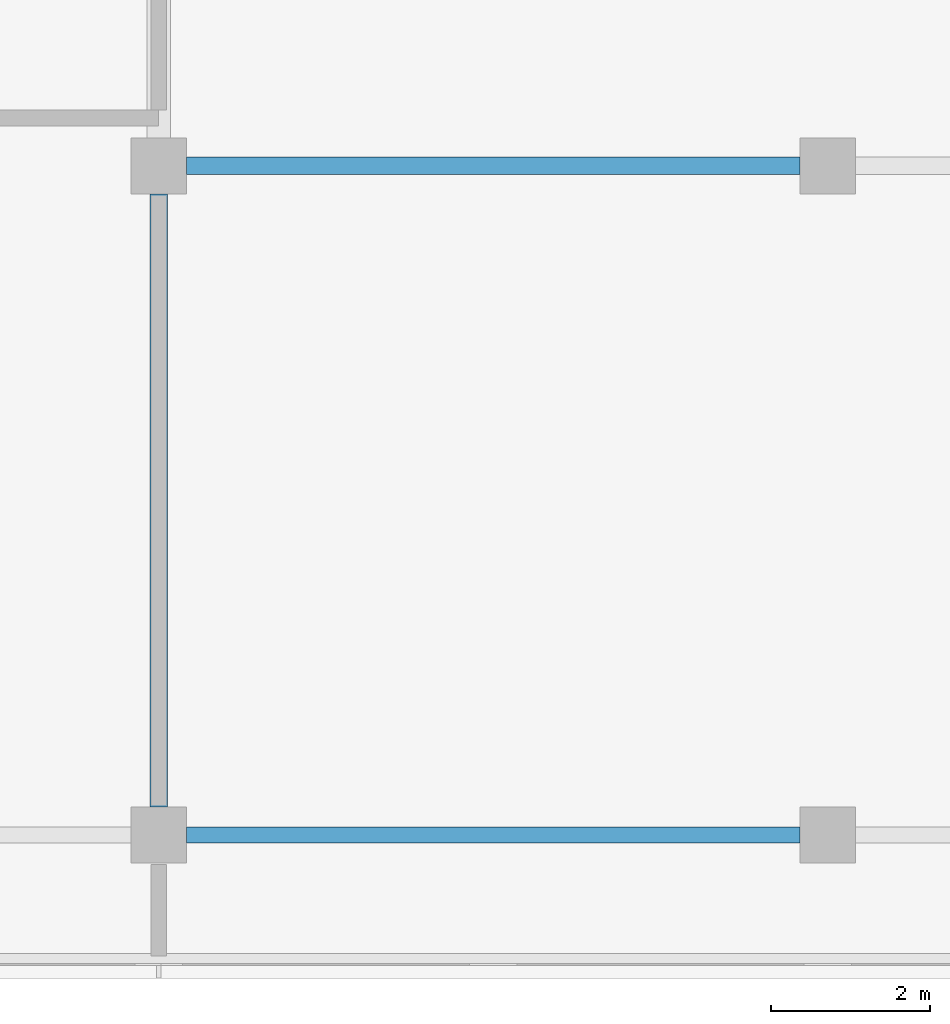
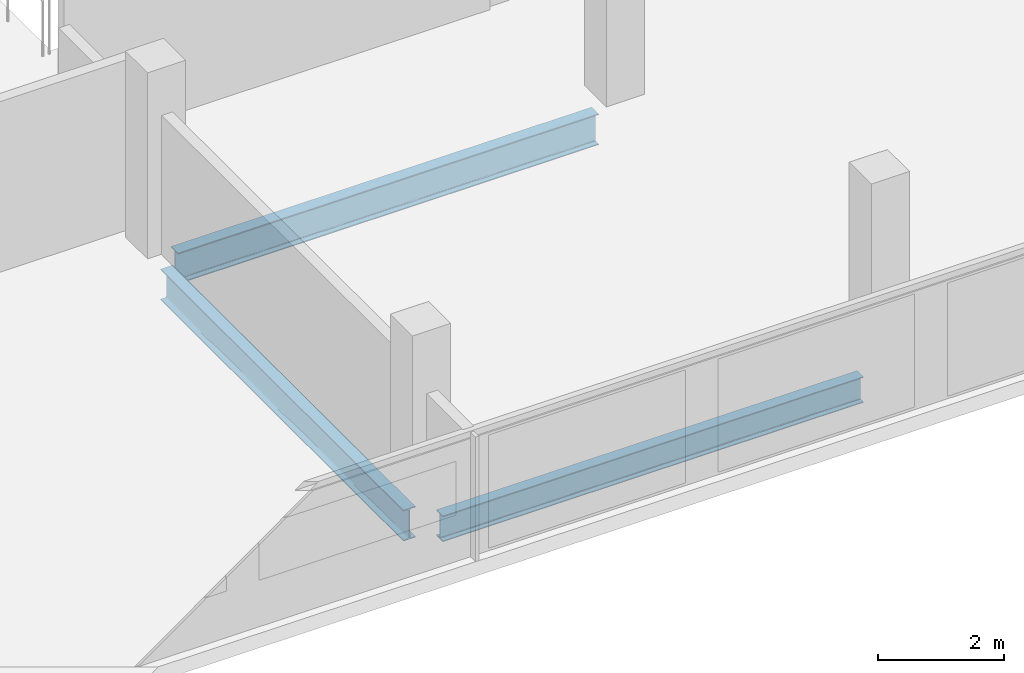
# One storey, part 3 of 24: 3 beams.
"""IFC4 building model written with IfcOpenShell, lengths in metres."""

import ifcopenshell
import ifcopenshell.guid

model = None  # the IFC model being written
_history = None  # IfcOwnerHistory: only IFC2X3 demands one
_inside = {}  # id of a spatial element -> (the spatial element, [elements in it])
_under = {}  # id of a project, library or spatial element -> (it, [spatial elements below it])
_declared = {}  # id of a project -> (the project, [libraries it declares])
_typed = {}  # id of a type object -> (the type object, [elements of that type])
_made_of = {}  # id of a material, layer set ... -> (it, [elements and type objects made of it])


def new_model(schema):
    """Start an empty IFC model of exactly this schema.

    Asked for "IFC4X3", IfcOpenShell would pick the latest addendum, in which some entities
    have other attributes; the version numbers below select the first issue.
    IFC2X3 requires an IfcOwnerHistory on every rooted entity: one is made here for all.
    """
    global model, _history
    if schema == "IFC4X3":
        model = ifcopenshell.file(schema_version=(4, 3, 0, 0))
    else:
        model = ifcopenshell.file(schema=schema)
    _inside.clear()
    _under.clear()
    _declared.clear()
    _typed.clear()
    _made_of.clear()
    _history = None
    if model.schema == "IFC2X3":
        org = make("IfcOrganization", Name="unknown")
        user = make(
            "IfcPersonAndOrganization",
            ThePerson=make("IfcPerson", FamilyName="unknown"),
            TheOrganization=org,
        )
        app = make(
            "IfcApplication",
            ApplicationDeveloper=org,
            Version="unknown",
            ApplicationFullName="unknown",
            ApplicationIdentifier="unknown",
        )
        _history = make(
            "IfcOwnerHistory",
            OwningUser=user,
            OwningApplication=app,
            ChangeAction="ADDED",
            CreationDate=0,
        )
    return model


def make(cls, **values):
    """One entity of the class cls with the attributes given. An attribute that is None is left unset."""
    return model.create_entity(
        cls, **{name: value for name, value in values.items() if value is not None}
    )


def rooted(cls, **values):
    """An entity with a GlobalId (a new one), such as an element, a storey or a relation."""
    return make(cls, GlobalId=ifcopenshell.guid.new(), OwnerHistory=_history, **values)


def si_unit(unit_type, name, prefix=None):
    """IfcSIUnit, for example si_unit("LENGTHUNIT", "METRE", prefix="MILLI")."""
    return make("IfcSIUnit", UnitType=unit_type, Prefix=prefix, Name=name)


def assignment(units):
    """IfcUnitAssignment: the units of a project."""
    return None if units is None else make("IfcUnitAssignment", Units=units)


def point(xyz):
    """IfcCartesianPoint."""
    return None if xyz is None else make("IfcCartesianPoint", Coordinates=xyz)


def direction(xyz):
    """IfcDirection."""
    return None if xyz is None else make("IfcDirection", DirectionRatios=xyz)


def frame(location, z_axis=None, x_axis=None):
    """IfcAxis2Placement3D, a coordinate frame: its origin and axes. An axis left out is left unset."""
    return make(
        "IfcAxis2Placement3D",
        Location=point(location),
        Axis=direction(z_axis),
        RefDirection=direction(x_axis),
    )


def frame_2d(location, x_axis=None):
    """IfcAxis2Placement2D, a coordinate frame in the plane: its origin and x axis."""
    return make(
        "IfcAxis2Placement2D", Location=point(location), RefDirection=direction(x_axis)
    )


def origin():
    """The frame at (0, 0, 0) with its axes left unset."""
    return frame((0.0, 0.0, 0.0))


def origin_2d():
    """The frame at (0, 0) in the plane with its x axis left unset."""
    return frame_2d((0.0, 0.0))


def place(relative_to, where):
    """IfcLocalPlacement: puts the frame where relative to a parent placement (None: the world)."""
    return make(
        "IfcLocalPlacement", PlacementRelTo=relative_to, RelativePlacement=where
    )


def context(
    kind, dimensions, precision=None, world=None, true_north=None, identifier=None
):
    """IfcGeometricRepresentationContext, for example the 3D "Model" context."""
    return make(
        "IfcGeometricRepresentationContext",
        ContextIdentifier=identifier,
        ContextType=kind,
        CoordinateSpaceDimension=dimensions,
        Precision=precision,
        WorldCoordinateSystem=world,
        TrueNorth=true_north,
    )


def subcontext(parent, identifier, kind, view, scale=None):
    """IfcGeometricRepresentationSubContext, for example "Body" below "Model"."""
    return make(
        "IfcGeometricRepresentationSubContext",
        ContextIdentifier=identifier,
        ContextType=kind,
        ParentContext=parent,
        TargetScale=scale,
        TargetView=view,
    )


def project(units=None, contexts=None):
    """IfcProject with its units and contexts."""
    return rooted(
        "IfcProject",
        Name="project",
        RepresentationContexts=contexts,
        UnitsInContext=assignment(units),
    )


def spatial(cls, under=None, at=None, **own):
    """A site, building, storey or space (cls), placed at a placement, below another one or the project."""
    s = rooted(cls, ObjectPlacement=at, **own)
    if under is not None:
        _under.setdefault(under.id(), (under, []))[1].append(s)
    return s


def profile(cls, at=None, kind="AREA", **sizes):
    """A parametric profile (cls). Its sizes go by their IFC names, for example OverallWidth=200.0."""
    return make(cls, ProfileType=kind, Position=at, **sizes)


def i_section(**sizes):
    """IfcIShapeProfileDef."""
    return profile("IfcIShapeProfileDef", **sizes)


def extrude(swept, where, along, depth):
    """IfcExtrudedAreaSolid: the profile swept, set in the frame where, extruded along a direction by depth."""
    return make(
        "IfcExtrudedAreaSolid",
        SweptArea=swept,
        Position=where,
        ExtrudedDirection=direction(along),
        Depth=depth,
    )


def shape(context_of_items, identifier, shape_type, items):
    """IfcShapeRepresentation: the items that make up one representation, for example the "Body"."""
    return make(
        "IfcShapeRepresentation",
        ContextOfItems=context_of_items,
        RepresentationIdentifier=identifier,
        RepresentationType=shape_type,
        Items=items,
    )


def material(Name=None, Category=None):
    """IfcMaterial."""
    return make("IfcMaterial", Name=Name, Category=Category)


def material_profile(
    of_material, cross_section, Name=None, Category=None, Priority=None
):
    """IfcMaterialProfile: a cross section and its material."""
    return make(
        "IfcMaterialProfile",
        Name=Name,
        Material=of_material,
        Profile=cross_section,
        Priority=Priority,
        Category=Category,
    )


def profile_set(profiles, Name=None, composite=None):
    """IfcMaterialProfileSet."""
    return make(
        "IfcMaterialProfileSet",
        Name=Name,
        MaterialProfiles=profiles,
        CompositeProfile=composite,
    )


def made_of(thing, what):
    """Note that an element or type object is made of a material, layer set ...; save() writes the relation."""
    if what is not None:
        _made_of.setdefault(what.id(), (what, []))[1].append(thing)
    return thing


def type_object(cls, material=None, **own):
    """A type object (cls), such as IfcWallType, which elements share."""
    return made_of(rooted(cls, **own), material)


def element(
    cls,
    number,
    at=None,
    inside=None,
    cuts=None,
    type_object=None,
    material=None,
    context=None,
    identifier="Body",
    shape_type=None,
    held_by="IfcProductDefinitionShape",
    body=None,
    shapes=None,
    **own,
):
    """One element of the class cls, such as IfcWall. Its Tag is "e" and its number.

    at: its placement. inside: the storey or other place that contains it. cuts: it is an
    opening in that element (IfcRelVoidsElement). A single representation is given by context,
    identifier, shape_type and body (its items); several are given by shapes. held_by: the class
    of the entity that holds the representations. save() writes the other relations.
    """
    e = rooted(cls, Tag="e%d" % number, ObjectPlacement=at, **own)
    if body is not None:
        shapes = [shape(context, identifier, shape_type, body)]
    if shapes is not None:
        e.Representation = make(held_by, Representations=shapes)
    if inside is not None:
        _inside.setdefault(inside.id(), (inside, []))[1].append(e)
    if cuts is not None:
        rooted(
            "IfcRelVoidsElement", RelatingBuildingElement=cuts, RelatedOpeningElement=e
        )
    if type_object is not None:
        _typed.setdefault(type_object.id(), (type_object, []))[1].append(e)
    return made_of(e, material)


def aggregate(whole, parts):
    """IfcRelAggregates: a whole, such as a stair, and the parts it consists of."""
    return rooted("IfcRelAggregates", RelatingObject=whole, RelatedObjects=parts)


def save(model, path):
    """Write the relations noted so far, then the file.

    IfcRelAggregates (storeys below a building ...), IfcRelContainedInSpatialStructure (elements
    in a storey), IfcRelDefinesByType, IfcRelAssociatesMaterial and IfcRelDeclares: one each for
    every whole, place, type object, material and project.
    """
    for whole, parts in _under.values():
        aggregate(whole, parts)
    for where, things in _inside.values():
        rooted(
            "IfcRelContainedInSpatialStructure",
            RelatedElements=things,
            RelatingStructure=where,
        )
    for kind, things in _typed.values():
        rooted("IfcRelDefinesByType", RelatedObjects=things, RelatingType=kind)
    for what, things in _made_of.values():
        rooted("IfcRelAssociatesMaterial", RelatedObjects=things, RelatingMaterial=what)
    for by, libraries in _declared.values():
        rooted("IfcRelDeclares", RelatingContext=by, RelatedDefinitions=libraries)
    model.write(path)


model = new_model("IFC4")

# Units and contexts
model_context = context("Model", 3, precision=1e-05, world=origin(), true_north=direction((0.0, 1.0)))
body_context = subcontext(model_context, "Body", "Model", "MODEL_VIEW")
ifc_project = project(units=[si_unit("LENGTHUNIT", "METRE"), si_unit("AREAUNIT", "SQUARE_METRE"), si_unit("VOLUMEUNIT", "CUBIC_METRE"), si_unit("PLANEANGLEUNIT", "RADIAN"), si_unit("MASSUNIT", "GRAM", prefix="KILO")], contexts=[model_context])

# Site, building, storey
site_placement = place(None, origin())
site = spatial("IfcSite", under=ifc_project, at=site_placement, CompositionType="ELEMENT")
building_placement = place(site_placement, origin())
building = spatial("IfcBuilding", under=site, at=building_placement, Name="Saffron Gate Tower", CompositionType="ELEMENT")
storey_placement = place(building_placement, frame((0.0, 0.0, 190.64990234375)))
storey = spatial("IfcBuildingStorey", under=building, at=storey_placement, Name="L47", CompositionType="ELEMENT", Elevation=190.64990234375)

# Beams
ifc_material = material(Name="Structural steel S355", Category="steel")
ifc_material_profile_1 = material_profile(ifc_material, i_section(OverallWidth=0.199951171875, OverallDepth=0.5, WebThickness=0.01025390625, FlangeThickness=0.01611328125, FilletRadius=0.02099609375, at=origin_2d()))
ifc_profile_set_1 = profile_set([ifc_material_profile_1], Name="Structural steel S355")
beam_type_1 = type_object("IfcBeamType", Name="B11 IPE 500", PredefinedType="SPANDREL", material=ifc_profile_set_1)
beam_1_placement = place(storey_placement, frame((75.35009765625, 31.800048828125, -0.52978515625), z_axis=(1.0, 0.0, 0.0), x_axis=(0.0, 1.0, 0.0)))
element("IfcBeam", 1, at=beam_1_placement, inside=storey, type_object=beam_type_1, Name="B11 SPANDREL BEAM", PredefinedType="SPANDREL", context=body_context, shape_type="SweptSolid", body=[
    extrude(i_section(OverallWidth=0.199951171875, OverallDepth=0.5, WebThickness=0.01025390625, FlangeThickness=0.01611328125, FilletRadius=0.02099609375, at=origin_2d()), origin(), (0.0, 0.0, 1.0), 7.699951171875),
])
ifc_material_profile_2 = material_profile(ifc_material, i_section(OverallWidth=0.219970703125, OverallDepth=0.60009765625, WebThickness=0.011962890625, FlangeThickness=0.01904296875, FilletRadius=0.02392578125, at=origin_2d()))
ifc_profile_set_2 = profile_set([ifc_material_profile_2], Name="Structural steel S355")
beam_type_2 = type_object("IfcBeamType", Name="B15 IPE 600", PredefinedType="BEAM", material=ifc_profile_set_2)
beam_2_placement = place(storey_placement, frame((75.0, 32.14990234375, -0.579833984375), z_axis=(0.0, 1.0, 0.0), x_axis=(-1.0, 0.0, 0.0)))
element("IfcBeam", 2, at=beam_2_placement, inside=storey, type_object=beam_type_2, Name="B15 FLOOR GIRDER", PredefinedType="BEAM", context=body_context, shape_type="SweptSolid", body=[
    extrude(i_section(OverallWidth=0.219970703125, OverallDepth=0.60009765625, WebThickness=0.011962890625, FlangeThickness=0.01904296875, FilletRadius=0.02392578125, at=origin_2d()), origin(), (0.0, 0.0, 1.0), 7.7001953125),
])
beam_3_placement = place(storey_placement, frame((75.35009765625, 40.199951171875, -0.579833984375), z_axis=(1.0, 0.0, 0.0), x_axis=(0.0, 1.0, 0.0)))
element("IfcBeam", 3, at=beam_3_placement, inside=storey, type_object=beam_type_2, Name="B15 FLOOR GIRDER", PredefinedType="BEAM", context=body_context, shape_type="SweptSolid", body=[
    extrude(i_section(OverallWidth=0.219970703125, OverallDepth=0.60009765625, WebThickness=0.011962890625, FlangeThickness=0.01904296875, FilletRadius=0.02392578125, at=origin_2d()), origin(), (0.0, 0.0, 1.0), 7.699951171875),
])

save(model, "model.ifc")
